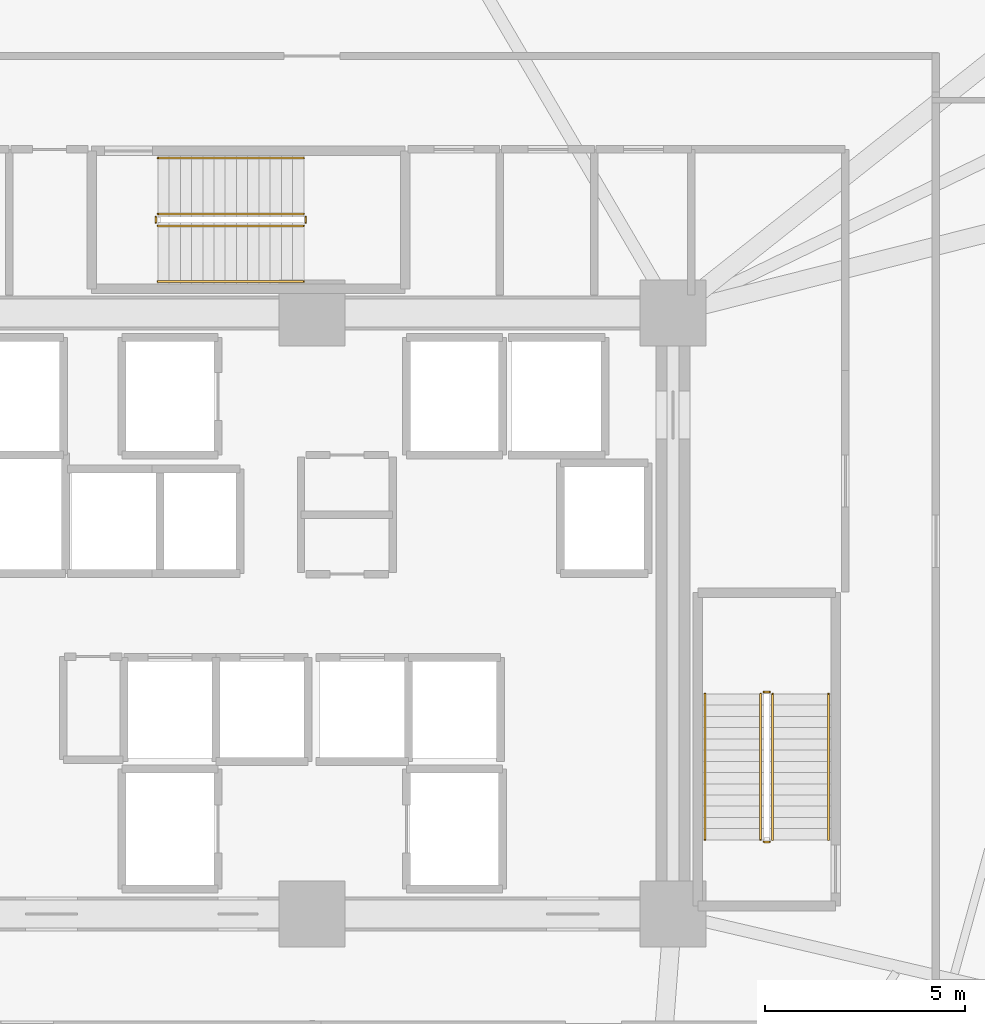
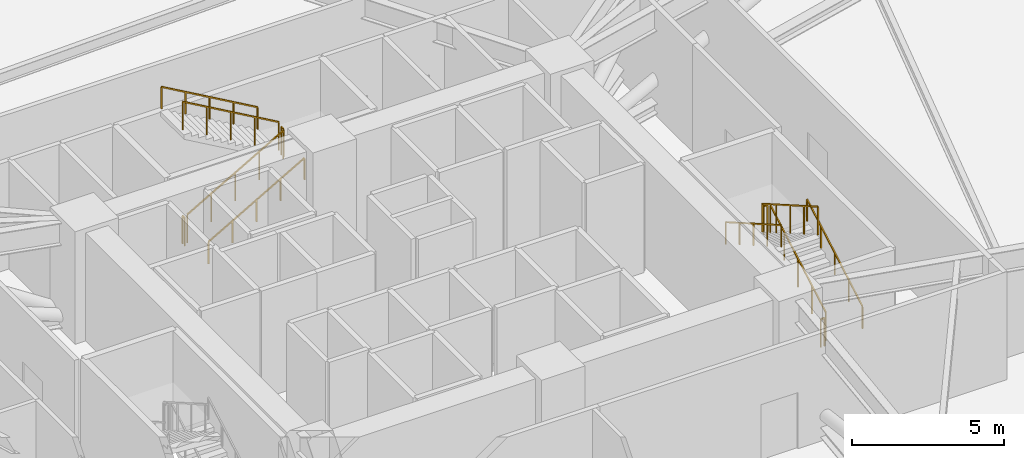
# One storey, part 24 of 25: 12 railings.
"""IFC4 building model written with IfcOpenShell, lengths in metres."""

from ifc_helpers import new_model, si_unit, direction, frame, origin, origin_2d, place, context, subcontext, project, spatial, rectangle, extrude, material, type_object, element, save


model = new_model("IFC4")

# Units and contexts
model_context = context("Model", 3, precision=1e-05, world=origin(), true_north=direction((0.0, 1.0)))
body_context = subcontext(model_context, "Body", "Model", "MODEL_VIEW")
ifc_project = project(units=[si_unit("LENGTHUNIT", "METRE"), si_unit("AREAUNIT", "SQUARE_METRE"), si_unit("VOLUMEUNIT", "CUBIC_METRE"), si_unit("PLANEANGLEUNIT", "RADIAN"), si_unit("MASSUNIT", "GRAM", prefix="KILO")], contexts=[model_context])

# Site, building, storey
site_placement = place(None, origin())
site = spatial("IfcSite", under=ifc_project, at=site_placement, CompositionType="ELEMENT")
building_placement = place(site_placement, origin())
building = spatial("IfcBuilding", under=site, at=building_placement, Name="Liaohun Quay Tower", CompositionType="ELEMENT")
storey_placement = place(building_placement, frame((0.0, 0.0, 47.25)))
storey = spatial("IfcBuildingStorey", under=building, at=storey_placement, Name="L12", CompositionType="ELEMENT", Elevation=47.25)

# Railings
ifc_material_1 = material(Name="Painted tubular steel", Category="steel")
railing_type_1 = type_object("IfcRailingType", Name="RLG-GUARD-STR", PredefinedType="GUARDRAIL", material=ifc_material_1)
railing_1_placement = place(storey_placement, frame((71.489990234375, 48.35009765625, 0.16064453125)))
element("IfcRailing", 1, at=railing_1_placement, inside=storey, type_object=railing_type_1, Name="L12 ST-2 stair guard 1", PredefinedType="GUARDRAIL", context=body_context, shape_type="SweptSolid", body=[
    extrude(rectangle(XDim=0.048095703125, YDim=0.048095703125, at=origin_2d()), frame((0.0, 0.0, 1.1259765625), z_axis=(0.0, 0.8672749571, 0.497829437445), x_axis=(-1.0, 0.0, 0.0)), (0.0, 0.0, 1.0), 4.197021484375),
    extrude(rectangle(XDim=0.0419921875, YDim=0.0419921875, at=origin_2d()), origin(), (0.0, 0.0, 1.0), 1.101806640625),
    extrude(rectangle(XDim=0.0419921875, YDim=0.0419921875, at=origin_2d()), frame((0.0, 0.909912109375, 0.5224609375)), (0.0, 0.0, 1.0), 1.101806640625),
    extrude(rectangle(XDim=0.0419921875, YDim=0.0419921875, at=origin_2d()), frame((0.0, 1.81982421875, 1.044677734375)), (0.0, 0.0, 1.0), 1.101806640625),
    extrude(rectangle(XDim=0.0419921875, YDim=0.0419921875, at=origin_2d()), frame((0.0, 2.72998046875, 1.56689453125)), (0.0, 0.0, 1.0), 1.101806640625),
    extrude(rectangle(XDim=0.0419921875, YDim=0.0419921875, at=origin_2d()), frame((0.0, 3.639892578125, 2.08935546875)), (0.0, 0.0, 1.0), 1.101806640625),
])
railing_2_placement = place(storey_placement, frame((71.409912109375, 52.0400390625, 2.25)))
element("IfcRailing", 2, at=railing_2_placement, inside=storey, type_object=railing_type_1, Name="L12 ST-2 stair guard 2", PredefinedType="GUARDRAIL", context=body_context, shape_type="SweptSolid", body=[
    extrude(rectangle(XDim=0.048095703125, YDim=0.048095703125, at=origin_2d()), frame((0.0, 0.0, 1.1259765625), z_axis=(-1.0, 0.0, 0.0), x_axis=(0.0, -1.0, 0.0)), (0.0, 0.0, 1.0), 0.139892578125),
    extrude(rectangle(XDim=0.0419921875, YDim=0.0419921875, at=origin_2d()), origin(), (0.0, 0.0, 1.0), 1.101806640625),
    extrude(rectangle(XDim=0.0419921875, YDim=0.0419921875, at=origin_2d()), frame((-0.139892578125, 0.0, 0.0)), (0.0, 0.0, 1.0), 1.101806640625),
])
railing_3_placement = place(storey_placement, frame((71.18994140625, 51.989990234375, 2.41064453125)))
element("IfcRailing", 3, at=railing_3_placement, inside=storey, type_object=railing_type_1, Name="L12 ST-2 stair guard 3", PredefinedType="GUARDRAIL", context=body_context, shape_type="SweptSolid", body=[
    extrude(rectangle(XDim=0.048095703125, YDim=0.048095703125, at=origin_2d()), frame((0.0, 0.0, 1.1259765625), z_axis=(0.0, -0.8672749571, 0.497829437445), x_axis=(1.0, 0.0, 0.0)), (0.0, 0.0, 1.0), 4.197021484375),
    extrude(rectangle(XDim=0.0419921875, YDim=0.0419921875, at=origin_2d()), origin(), (0.0, 0.0, 1.0), 1.101806640625),
    extrude(rectangle(XDim=0.0419921875, YDim=0.0419921875, at=origin_2d()), frame((0.0, -0.909912109375, 0.5224609375)), (0.0, 0.0, 1.0), 1.101806640625),
    extrude(rectangle(XDim=0.0419921875, YDim=0.0419921875, at=origin_2d()), frame((0.0, -1.81982421875, 1.044677734375)), (0.0, 0.0, 1.0), 1.101806640625),
    extrude(rectangle(XDim=0.0419921875, YDim=0.0419921875, at=origin_2d()), frame((0.0, -2.72998046875, 1.56689453125)), (0.0, 0.0, 1.0), 1.101806640625),
    extrude(rectangle(XDim=0.0419921875, YDim=0.0419921875, at=origin_2d()), frame((0.0, -3.639892578125, 2.08935546875)), (0.0, 0.0, 1.0), 1.101806640625),
])
railing_4_placement = place(storey_placement, frame((71.409912109375, 48.300048828125, 0.0)))
element("IfcRailing", 4, at=railing_4_placement, inside=storey, type_object=railing_type_1, Name="L12 ST-2 stair guard 4", PredefinedType="GUARDRAIL", context=body_context, shape_type="SweptSolid", body=[
    extrude(rectangle(XDim=0.048095703125, YDim=0.048095703125, at=origin_2d()), frame((0.0, 0.0, 1.1259765625), z_axis=(-1.0, 0.0, 0.0), x_axis=(0.0, -1.0, 0.0)), (0.0, 0.0, 1.0), 0.139892578125),
    extrude(rectangle(XDim=0.0419921875, YDim=0.0419921875, at=origin_2d()), origin(), (0.0, 0.0, 1.0), 1.101806640625),
    extrude(rectangle(XDim=0.0419921875, YDim=0.0419921875, at=origin_2d()), frame((-0.139892578125, 0.0, 0.0)), (0.0, 0.0, 1.0), 1.101806640625),
])
railing_5_placement = place(storey_placement, frame((56.14990234375, 63.669921875, 0.16064453125)))
element("IfcRailing", 5, at=railing_5_placement, inside=storey, type_object=railing_type_1, Name="L12 ST-3 stair guard 1", PredefinedType="GUARDRAIL", context=body_context, shape_type="SweptSolid", body=[
    extrude(rectangle(XDim=0.048095703125, YDim=0.048095703125, at=origin_2d()), frame((0.0, 0.0, 1.1259765625), z_axis=(0.867289372828, 0.0, 0.497804322781), x_axis=(0.0, 1.0, 0.0)), (0.0, 0.0, 1.0), 4.197021484375),
    extrude(rectangle(XDim=0.0419921875, YDim=0.0419921875, at=origin_2d()), origin(), (0.0, 0.0, 1.0), 1.101806640625),
    extrude(rectangle(XDim=0.0419921875, YDim=0.0419921875, at=origin_2d()), frame((0.91015625, 0.0, 0.5224609375)), (0.0, 0.0, 1.0), 1.101806640625),
    extrude(rectangle(XDim=0.0419921875, YDim=0.0419921875, at=origin_2d()), frame((1.820068359375, 0.0, 1.044677734375)), (0.0, 0.0, 1.0), 1.101806640625),
    extrude(rectangle(XDim=0.0419921875, YDim=0.0419921875, at=origin_2d()), frame((2.72998046875, 0.0, 1.56689453125)), (0.0, 0.0, 1.0), 1.101806640625),
    extrude(rectangle(XDim=0.0419921875, YDim=0.0419921875, at=origin_2d()), frame((3.64013671875, 0.0, 2.08935546875)), (0.0, 0.0, 1.0), 1.101806640625),
])
railing_6_placement = place(storey_placement, frame((59.840087890625, 63.75, 2.25)))
element("IfcRailing", 6, at=railing_6_placement, inside=storey, type_object=railing_type_1, Name="L12 ST-3 stair guard 2", PredefinedType="GUARDRAIL", context=body_context, shape_type="SweptSolid", body=[
    extrude(rectangle(XDim=0.048095703125, YDim=0.048095703125, at=origin_2d()), frame((0.0, 0.0, 1.1259765625), z_axis=(0.0, 1.0, 0.0), x_axis=(-1.0, 0.0, 0.0)), (0.0, 0.0, 1.0), 0.139892578125),
    extrude(rectangle(XDim=0.0419921875, YDim=0.0419921875, at=origin_2d()), origin(), (0.0, 0.0, 1.0), 1.101806640625),
    extrude(rectangle(XDim=0.0419921875, YDim=0.0419921875, at=origin_2d()), frame((0.0, 0.139892578125, 0.0)), (0.0, 0.0, 1.0), 1.101806640625),
])
railing_7_placement = place(storey_placement, frame((59.7900390625, 63.969970703125, 2.41064453125)))
element("IfcRailing", 7, at=railing_7_placement, inside=storey, type_object=railing_type_1, Name="L12 ST-3 stair guard 3", PredefinedType="GUARDRAIL", context=body_context, shape_type="SweptSolid", body=[
    extrude(rectangle(XDim=0.048095703125, YDim=0.048095703125, at=origin_2d()), frame((0.0, 0.0, 1.1259765625), z_axis=(-0.867289372828, 0.0, 0.497804322781), x_axis=(0.0, -1.0, 0.0)), (0.0, 0.0, 1.0), 4.197021484375),
    extrude(rectangle(XDim=0.0419921875, YDim=0.0419921875, at=origin_2d()), origin(), (0.0, 0.0, 1.0), 1.101806640625),
    extrude(rectangle(XDim=0.0419921875, YDim=0.0419921875, at=origin_2d()), frame((-0.91015625, 0.0, 0.5224609375)), (0.0, 0.0, 1.0), 1.101806640625),
    extrude(rectangle(XDim=0.0419921875, YDim=0.0419921875, at=origin_2d()), frame((-1.820068359375, 0.0, 1.044677734375)), (0.0, 0.0, 1.0), 1.101806640625),
    extrude(rectangle(XDim=0.0419921875, YDim=0.0419921875, at=origin_2d()), frame((-2.72998046875, 0.0, 1.56689453125)), (0.0, 0.0, 1.0), 1.101806640625),
    extrude(rectangle(XDim=0.0419921875, YDim=0.0419921875, at=origin_2d()), frame((-3.64013671875, 0.0, 2.08935546875)), (0.0, 0.0, 1.0), 1.101806640625),
])
railing_8_placement = place(storey_placement, frame((56.10009765625, 63.75, 0.0)))
element("IfcRailing", 8, at=railing_8_placement, inside=storey, type_object=railing_type_1, Name="L12 ST-3 stair guard 4", PredefinedType="GUARDRAIL", context=body_context, shape_type="SweptSolid", body=[
    extrude(rectangle(XDim=0.048095703125, YDim=0.048095703125, at=origin_2d()), frame((0.0, 0.0, 1.1259765625), z_axis=(0.0, 1.0, 0.0), x_axis=(-1.0, 0.0, 0.0)), (0.0, 0.0, 1.0), 0.139892578125),
    extrude(rectangle(XDim=0.0419921875, YDim=0.0419921875, at=origin_2d()), origin(), (0.0, 0.0, 1.0), 1.101806640625),
    extrude(rectangle(XDim=0.0419921875, YDim=0.0419921875, at=origin_2d()), frame((0.0, 0.139892578125, 0.0)), (0.0, 0.0, 1.0), 1.101806640625),
])
ifc_material_2 = material(Name="Brushed stainless steel", Category="steel")
railing_type_2 = type_object("IfcRailingType", Name="RLG-HND-STR", PredefinedType="HANDRAIL", material=ifc_material_2)
railing_9_placement = place(storey_placement, frame((72.8798828125, 48.35009765625, 0.16064453125)))
element("IfcRailing", 9, at=railing_9_placement, inside=storey, type_object=railing_type_2, Name="L12 ST-2 stair handrail 1", PredefinedType="HANDRAIL", context=body_context, shape_type="SweptSolid", body=[
    extrude(rectangle(XDim=0.048095703125, YDim=0.048095703125, at=origin_2d()), frame((0.0, 0.0, 0.8759765625), z_axis=(0.0, 0.8672749571, 0.497829437445), x_axis=(-1.0, 0.0, 0.0)), (0.0, 0.0, 1.0), 4.197021484375),
    extrude(rectangle(XDim=0.0419921875, YDim=0.0419921875, at=origin_2d()), origin(), (0.0, 0.0, 1.0), 0.851806640625),
    extrude(rectangle(XDim=0.0419921875, YDim=0.0419921875, at=origin_2d()), frame((0.0, 0.909912109375, 0.5224609375)), (0.0, 0.0, 1.0), 0.851806640625),
    extrude(rectangle(XDim=0.0419921875, YDim=0.0419921875, at=origin_2d()), frame((0.0, 1.81982421875, 1.044677734375)), (0.0, 0.0, 1.0), 0.851806640625),
    extrude(rectangle(XDim=0.0419921875, YDim=0.0419921875, at=origin_2d()), frame((0.0, 2.72998046875, 1.56689453125)), (0.0, 0.0, 1.0), 0.851806640625),
    extrude(rectangle(XDim=0.0419921875, YDim=0.0419921875, at=origin_2d()), frame((0.0, 3.639892578125, 2.08935546875)), (0.0, 0.0, 1.0), 0.851806640625),
])
railing_10_placement = place(storey_placement, frame((69.800048828125, 51.989990234375, 2.41064453125)))
element("IfcRailing", 10, at=railing_10_placement, inside=storey, type_object=railing_type_2, Name="L12 ST-2 stair handrail 2", PredefinedType="HANDRAIL", context=body_context, shape_type="SweptSolid", body=[
    extrude(rectangle(XDim=0.048095703125, YDim=0.048095703125, at=origin_2d()), frame((0.0, 0.0, 0.8759765625), z_axis=(0.0, -0.8672749571, 0.497829437445), x_axis=(1.0, 0.0, 0.0)), (0.0, 0.0, 1.0), 4.197021484375),
    extrude(rectangle(XDim=0.0419921875, YDim=0.0419921875, at=origin_2d()), origin(), (0.0, 0.0, 1.0), 0.851806640625),
    extrude(rectangle(XDim=0.0419921875, YDim=0.0419921875, at=origin_2d()), frame((0.0, -0.909912109375, 0.5224609375)), (0.0, 0.0, 1.0), 0.851806640625),
    extrude(rectangle(XDim=0.0419921875, YDim=0.0419921875, at=origin_2d()), frame((0.0, -1.81982421875, 1.044677734375)), (0.0, 0.0, 1.0), 0.851806640625),
    extrude(rectangle(XDim=0.0419921875, YDim=0.0419921875, at=origin_2d()), frame((0.0, -2.72998046875, 1.56689453125)), (0.0, 0.0, 1.0), 0.851806640625),
    extrude(rectangle(XDim=0.0419921875, YDim=0.0419921875, at=origin_2d()), frame((0.0, -3.639892578125, 2.08935546875)), (0.0, 0.0, 1.0), 0.851806640625),
])
railing_11_placement = place(storey_placement, frame((56.14990234375, 62.280029296875, 0.16064453125)))
element("IfcRailing", 11, at=railing_11_placement, inside=storey, type_object=railing_type_2, Name="L12 ST-3 stair handrail 1", PredefinedType="HANDRAIL", context=body_context, shape_type="SweptSolid", body=[
    extrude(rectangle(XDim=0.048095703125, YDim=0.048095703125, at=origin_2d()), frame((0.0, 0.0, 0.8759765625), z_axis=(0.867289372828, 0.0, 0.497804322781), x_axis=(0.0, 1.0, 0.0)), (0.0, 0.0, 1.0), 4.197021484375),
    extrude(rectangle(XDim=0.0419921875, YDim=0.0419921875, at=origin_2d()), origin(), (0.0, 0.0, 1.0), 0.851806640625),
    extrude(rectangle(XDim=0.0419921875, YDim=0.0419921875, at=origin_2d()), frame((0.91015625, 0.0, 0.5224609375)), (0.0, 0.0, 1.0), 0.851806640625),
    extrude(rectangle(XDim=0.0419921875, YDim=0.0419921875, at=origin_2d()), frame((1.820068359375, 0.0, 1.044677734375)), (0.0, 0.0, 1.0), 0.851806640625),
    extrude(rectangle(XDim=0.0419921875, YDim=0.0419921875, at=origin_2d()), frame((2.72998046875, 0.0, 1.56689453125)), (0.0, 0.0, 1.0), 0.851806640625),
    extrude(rectangle(XDim=0.0419921875, YDim=0.0419921875, at=origin_2d()), frame((3.64013671875, 0.0, 2.08935546875)), (0.0, 0.0, 1.0), 0.851806640625),
])
railing_12_placement = place(storey_placement, frame((59.7900390625, 65.360107421875, 2.41064453125)))
element("IfcRailing", 12, at=railing_12_placement, inside=storey, type_object=railing_type_2, Name="L12 ST-3 stair handrail 2", PredefinedType="HANDRAIL", context=body_context, shape_type="SweptSolid", body=[
    extrude(rectangle(XDim=0.048095703125, YDim=0.048095703125, at=origin_2d()), frame((0.0, 0.0, 0.8759765625), z_axis=(-0.867289372828, 0.0, 0.497804322781), x_axis=(0.0, -1.0, 0.0)), (0.0, 0.0, 1.0), 4.197021484375),
    extrude(rectangle(XDim=0.0419921875, YDim=0.0419921875, at=origin_2d()), origin(), (0.0, 0.0, 1.0), 0.851806640625),
    extrude(rectangle(XDim=0.0419921875, YDim=0.0419921875, at=origin_2d()), frame((-0.91015625, 0.0, 0.5224609375)), (0.0, 0.0, 1.0), 0.851806640625),
    extrude(rectangle(XDim=0.0419921875, YDim=0.0419921875, at=origin_2d()), frame((-1.820068359375, 0.0, 1.044677734375)), (0.0, 0.0, 1.0), 0.851806640625),
    extrude(rectangle(XDim=0.0419921875, YDim=0.0419921875, at=origin_2d()), frame((-2.72998046875, 0.0, 1.56689453125)), (0.0, 0.0, 1.0), 0.851806640625),
    extrude(rectangle(XDim=0.0419921875, YDim=0.0419921875, at=origin_2d()), frame((-3.64013671875, 0.0, 2.08935546875)), (0.0, 0.0, 1.0), 0.851806640625),
])

save(model, "model.ifc")
